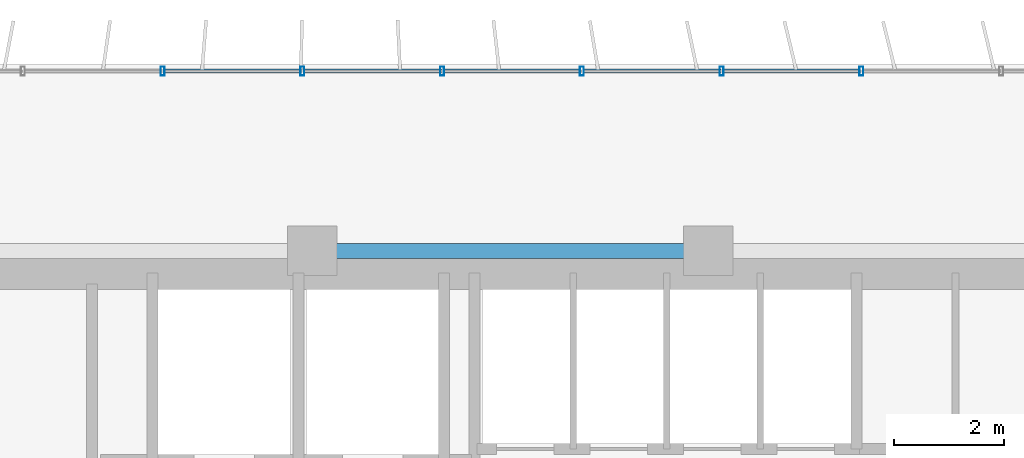
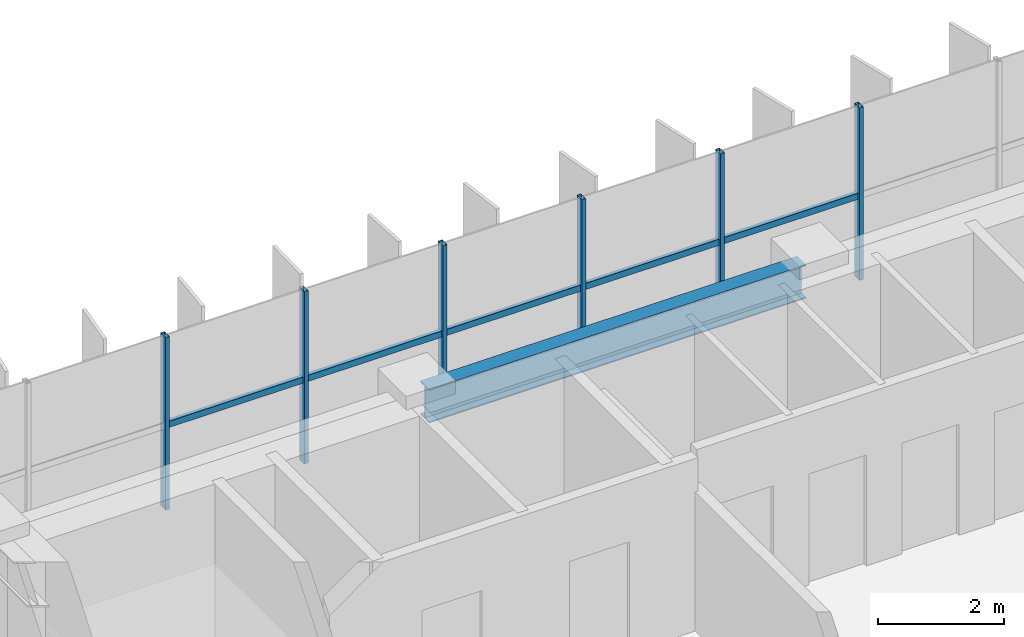
# One storey, part 7 of 22: 11 members, 1 beam, 1 element without a shape of its own.
"""IFC4 building model written with IfcOpenShell, lengths in metres."""

from ifc_helpers import new_model, si_unit, direction, frame, origin, origin_2d, place, context, subcontext, project, spatial, hollow_rectangle, i_section, extrude, source, transform, mapped, material, material_profile, profile_set, type_object, element, aggregate, save


model = new_model("IFC4")

# Units and contexts
model_context = context("Model", 3, precision=1e-05, world=origin(), true_north=direction((0.0, 1.0)))
body_context = subcontext(model_context, "Body", "Model", "MODEL_VIEW")
ifc_project = project(units=[si_unit("LENGTHUNIT", "METRE"), si_unit("AREAUNIT", "SQUARE_METRE"), si_unit("VOLUMEUNIT", "CUBIC_METRE"), si_unit("PLANEANGLEUNIT", "RADIAN"), si_unit("MASSUNIT", "GRAM", prefix="KILO")], contexts=[model_context])

# Site, building, storey
site_placement = place(None, origin())
site = spatial("IfcSite", under=ifc_project, at=site_placement, CompositionType="ELEMENT")
building_placement = place(site_placement, origin())
building = spatial("IfcBuilding", under=site, at=building_placement, Name="Trelvane Seafront Commons", CompositionType="ELEMENT")
storey_placement = place(building_placement, frame((0.0, 0.0, 55.89990234375)))
storey = spatial("IfcBuildingStorey", under=building, at=storey_placement, Name="L14", CompositionType="ELEMENT", Elevation=55.89990234375)

# Beam
ifc_material_1 = material(Name="Steel SM355 (S355)", Category="steel")
ifc_material_profile_1 = material_profile(ifc_material_1, i_section(OverallWidth=0.280029296875, OverallDepth=0.64990234375, WebThickness=0.012939453125, FlangeThickness=0.02197265625, at=origin_2d()), Name="H-650x280x13x22")
ifc_profile_set_1 = profile_set([ifc_material_profile_1], Name="Steel SM355 (S355)")
beam_type = type_object("IfcBeamType", Name="STR-BM-H650", PredefinedType="BEAM", material=ifc_profile_set_1)
shared_shape_1 = source(origin(), body_context, "Body", "SweptSolid", [
    extrude(i_section(OverallWidth=0.280029296875, OverallDepth=0.64990234375, WebThickness=0.012939453125, FlangeThickness=0.02197265625, at=origin_2d()), origin(), (0.0, 0.0, 1.0), 6.89990234375),
])
beam_placement = place(storey_placement, frame((23.550048828125, 45.10009765625, 3.01513671875), z_axis=(1.0, 0.0, 0.0), x_axis=(0.0, 1.0, 0.0)))
element("IfcBeam", 1, at=beam_placement, inside=storey, type_object=beam_type, Name="L14 Primary Girder G-31", PredefinedType="BEAM", context=body_context, shape_type="MappedRepresentation", body=[
    mapped(shared_shape_1, transform((0.0, 0.0, 0.0), x_axis=(1.0, 0.0, 0.0), y_axis=(0.0, 1.0, 0.0), z_axis=(0.0, 0.0, 1.0), scale=1.0)),
])

# Curtain wall, members
ifc_material_2 = material(Name="Anodised pale-silver aluminium", Category="aluminium")
curtain_wall_type = type_object("IfcCurtainWallType", Name="ARCH-CW2-LOWTOWER", PredefinedType="NOTDEFINED", material=ifc_material_2)
curtain_wall_placement = place(storey_placement, origin())
curtain_wall = element("IfcCurtainWall", 2, at=curtain_wall_placement, inside=storey, type_object=curtain_wall_type, Name="CW-L14-0038", PredefinedType="NOTDEFINED")
ifc_material_profile_2 = material_profile(ifc_material_2, hollow_rectangle(XDim=0.074951171875, YDim=0.159912109375, WallThickness=0.00390625, at=origin_2d()), Name="MULL-75x160x4")
ifc_profile_set_2 = profile_set([ifc_material_profile_2], Name="Anodised pale-silver aluminium")
member_type_1 = type_object("IfcMemberType", Name="ARCH-CW-MULL-160", PredefinedType="MULLION", material=ifc_profile_set_2)
shared_shape_2 = source(origin(), body_context, "Body", "SweptSolid", [
    extrude(hollow_rectangle(XDim=0.074951171875, YDim=0.159912109375, WallThickness=0.00390625, at=origin_2d()), origin(), (0.0, 0.0, 1.0), 3.340087890625),
])
member_1_placement = place(storey_placement, frame((20.682373046875, 48.3701171875, 0.0), z_axis=(0.0, 0.0, 1.0), x_axis=(1.0, 0.0, 0.0)))
member_1 = element("IfcMember", 3, at=member_1_placement, type_object=member_type_1, Name="CW-L14-0038-M02", PredefinedType="MULLION", context=body_context, shape_type="MappedRepresentation", body=[
    mapped(shared_shape_2, transform((0.0, 0.0, 0.0), x_axis=(1.0, 0.0, 0.0), y_axis=(0.0, 1.0, 0.0), z_axis=(0.0, 0.0, 1.0), scale=1.0)),
])
member_2_placement = place(storey_placement, frame((23.223388671875, 48.3701171875, 0.0), z_axis=(0.0, 0.0, 1.0), x_axis=(1.0, 0.0, 0.0)))
member_2 = element("IfcMember", 4, at=member_2_placement, type_object=member_type_1, Name="CW-L14-0038-M03", PredefinedType="MULLION", context=body_context, shape_type="MappedRepresentation", body=[
    mapped(shared_shape_2, transform((0.0, 0.0, 0.0), x_axis=(1.0, 0.0, 0.0), y_axis=(0.0, 1.0, 0.0), z_axis=(0.0, 0.0, 1.0), scale=1.0)),
])
member_3_placement = place(storey_placement, frame((25.7646484375, 48.3701171875, 0.0), z_axis=(0.0, 0.0, 1.0), x_axis=(1.0, 0.0, 0.0)))
member_3 = element("IfcMember", 5, at=member_3_placement, type_object=member_type_1, Name="CW-L14-0038-M04", PredefinedType="MULLION", context=body_context, shape_type="MappedRepresentation", body=[
    mapped(shared_shape_2, transform((0.0, 0.0, 0.0), x_axis=(1.0, 0.0, 0.0), y_axis=(0.0, 1.0, 0.0), z_axis=(0.0, 0.0, 1.0), scale=1.0)),
])
member_4_placement = place(storey_placement, frame((28.305908203125, 48.3701171875, 0.0), z_axis=(0.0, 0.0, 1.0), x_axis=(1.0, 0.0, 0.0)))
member_4 = element("IfcMember", 6, at=member_4_placement, type_object=member_type_1, Name="CW-L14-0038-M05", PredefinedType="MULLION", context=body_context, shape_type="MappedRepresentation", body=[
    mapped(shared_shape_2, transform((0.0, 0.0, 0.0), x_axis=(1.0, 0.0, 0.0), y_axis=(0.0, 1.0, 0.0), z_axis=(0.0, 0.0, 1.0), scale=1.0)),
])
member_5_placement = place(storey_placement, frame((30.84716796875, 48.3701171875, 0.0), z_axis=(0.0, 0.0, 1.0), x_axis=(1.0, 0.0, 0.0)))
member_5 = element("IfcMember", 7, at=member_5_placement, type_object=member_type_1, Name="CW-L14-0038-M06", PredefinedType="MULLION", context=body_context, shape_type="MappedRepresentation", body=[
    mapped(shared_shape_2, transform((0.0, 0.0, 0.0), x_axis=(1.0, 0.0, 0.0), y_axis=(0.0, 1.0, 0.0), z_axis=(0.0, 0.0, 1.0), scale=1.0)),
])
member_6_placement = place(storey_placement, frame((33.38818359375, 48.3701171875, 0.0), z_axis=(0.0, 0.0, 1.0), x_axis=(1.0, 0.0, 0.0)))
member_6 = element("IfcMember", 8, at=member_6_placement, type_object=member_type_1, Name="CW-L14-0038-M07", PredefinedType="MULLION", context=body_context, shape_type="MappedRepresentation", body=[
    mapped(shared_shape_2, transform((0.0, 0.0, 0.0), x_axis=(1.0, 0.0, 0.0), y_axis=(0.0, 1.0, 0.0), z_axis=(0.0, 0.0, 1.0), scale=1.0)),
])
ifc_material_profile_3 = material_profile(ifc_material_2, hollow_rectangle(XDim=0.070068359375, YDim=0.1201171875, WallThickness=0.00390625, at=origin_2d()), Name="TRAN-70x120x4")
ifc_profile_set_3 = profile_set([ifc_material_profile_3], Name="Anodised pale-silver aluminium")
member_type_2 = type_object("IfcMemberType", Name="ARCH-CW-TRAN-120", PredefinedType="USERDEFINED", material=ifc_profile_set_3)
shared_shape_3 = source(origin(), body_context, "Body", "SweptSolid", [
    extrude(hollow_rectangle(XDim=0.070068359375, YDim=0.1201171875, WallThickness=0.00390625, at=origin_2d()), origin(), (0.0, 0.0, 1.0), 2.51708984375),
])
member_7_placement = place(storey_placement, frame((20.6943359375, 48.3701171875, 1.60302734375), z_axis=(1.0, 0.0, 0.0), x_axis=(0.0, 1.0, 0.0)))
member_7 = element("IfcMember", 9, at=member_7_placement, type_object=member_type_2, Name="CW-L14-0038-T02", ObjectType="TRANSOM", PredefinedType="USERDEFINED", context=body_context, shape_type="MappedRepresentation", body=[
    mapped(shared_shape_3, transform((0.0, 0.0, 0.0), x_axis=(1.0, 0.0, 0.0), y_axis=(0.0, 1.0, 0.0), z_axis=(0.0, 0.0, 1.0), scale=1.0)),
])
member_8_placement = place(storey_placement, frame((23.235595703125, 48.3701171875, 1.60302734375), z_axis=(1.0, 0.0, 0.0), x_axis=(0.0, 1.0, 0.0)))
member_8 = element("IfcMember", 10, at=member_8_placement, type_object=member_type_2, Name="CW-L14-0038-T03", ObjectType="TRANSOM", PredefinedType="USERDEFINED", context=body_context, shape_type="MappedRepresentation", body=[
    mapped(shared_shape_3, transform((0.0, 0.0, 0.0), x_axis=(1.0, 0.0, 0.0), y_axis=(0.0, 1.0, 0.0), z_axis=(0.0, 0.0, 1.0), scale=1.0)),
])
member_9_placement = place(storey_placement, frame((30.859130859375, 48.3701171875, 1.60302734375), z_axis=(1.0, 0.0, 0.0), x_axis=(0.0, 1.0, 0.0)))
member_9 = element("IfcMember", 11, at=member_9_placement, type_object=member_type_2, Name="CW-L14-0038-T06", ObjectType="TRANSOM", PredefinedType="USERDEFINED", context=body_context, shape_type="MappedRepresentation", body=[
    mapped(shared_shape_3, transform((0.0, 0.0, 0.0), x_axis=(1.0, 0.0, 0.0), y_axis=(0.0, 1.0, 0.0), z_axis=(0.0, 0.0, 1.0), scale=1.0)),
])
shared_shape_4 = source(origin(), body_context, "Body", "SweptSolid", [
    extrude(hollow_rectangle(XDim=0.070068359375, YDim=0.1201171875, WallThickness=0.00390625, at=origin_2d()), origin(), (0.0, 0.0, 1.0), 2.517333984375),
])
member_10_placement = place(storey_placement, frame((25.776611328125, 48.3701171875, 1.60302734375), z_axis=(1.0, 0.0, 0.0), x_axis=(0.0, 1.0, 0.0)))
member_10 = element("IfcMember", 12, at=member_10_placement, type_object=member_type_2, Name="CW-L14-0038-T04", ObjectType="TRANSOM", PredefinedType="USERDEFINED", context=body_context, shape_type="MappedRepresentation", body=[
    mapped(shared_shape_4, transform((0.0, 0.0, 0.0), x_axis=(1.0, 0.0, 0.0), y_axis=(0.0, 1.0, 0.0), z_axis=(0.0, 0.0, 1.0), scale=1.0)),
])
member_11_placement = place(storey_placement, frame((28.31787109375, 48.3701171875, 1.60302734375), z_axis=(1.0, 0.0, 0.0), x_axis=(0.0, 1.0, 0.0)))
member_11 = element("IfcMember", 13, at=member_11_placement, type_object=member_type_2, Name="CW-L14-0038-T05", ObjectType="TRANSOM", PredefinedType="USERDEFINED", context=body_context, shape_type="MappedRepresentation", body=[
    mapped(shared_shape_4, transform((0.0, 0.0, 0.0), x_axis=(1.0, 0.0, 0.0), y_axis=(0.0, 1.0, 0.0), z_axis=(0.0, 0.0, 1.0), scale=1.0)),
])
aggregate(curtain_wall, [member_1, member_2, member_3, member_4, member_5, member_6, member_7, member_8, member_10, member_11, member_9])

save(model, "model.ifc")
